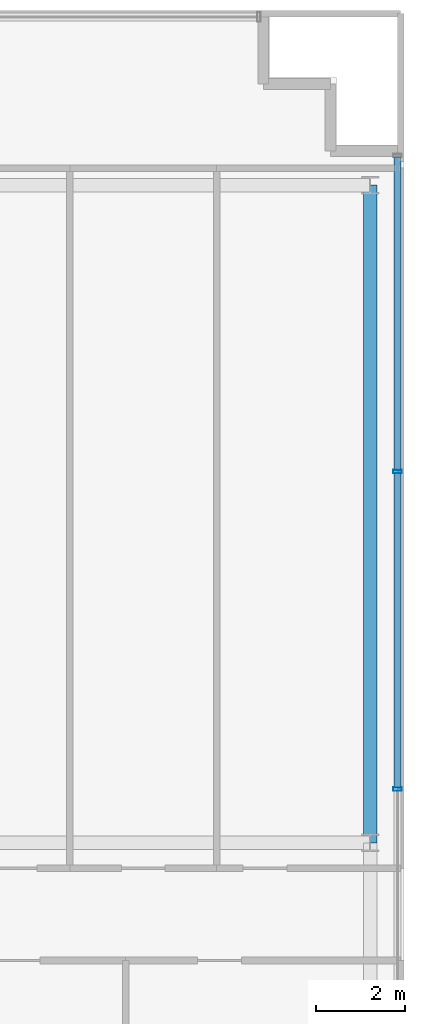
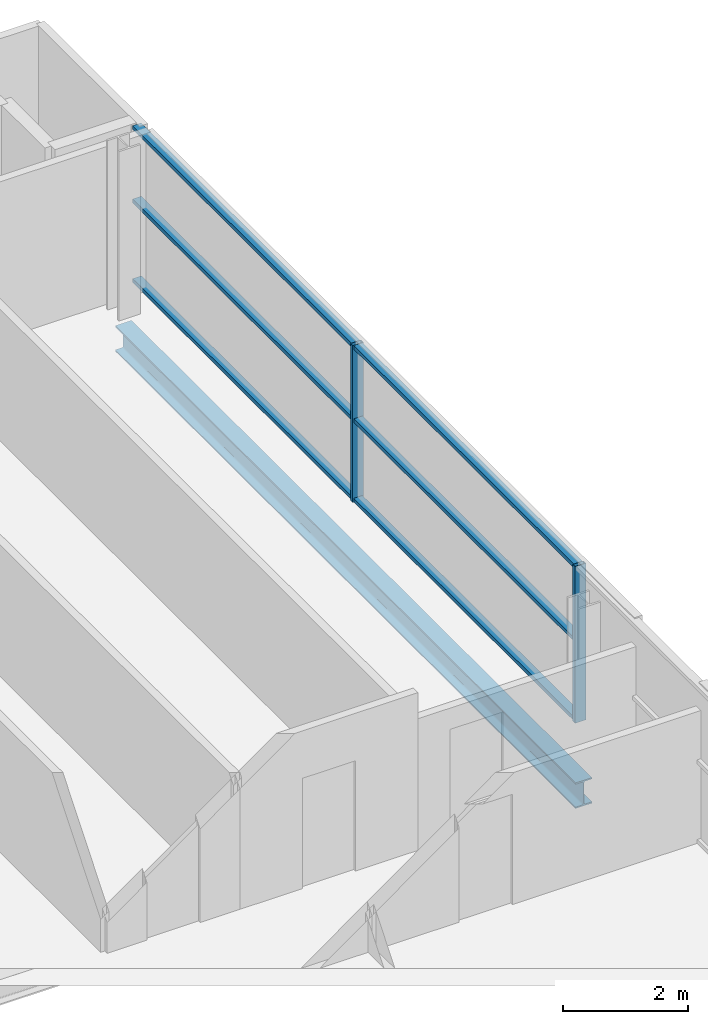
# One storey, part 9 of 21: 8 members, 1 beam, 1 element without a shape of its own.
"""IFC4 building model written with IfcOpenShell, lengths in metres."""

import ifcopenshell
import ifcopenshell.guid

model = None  # the IFC model being written
_history = None  # IfcOwnerHistory: only IFC2X3 demands one
_inside = {}  # id of a spatial element -> (the spatial element, [elements in it])
_under = {}  # id of a project, library or spatial element -> (it, [spatial elements below it])
_declared = {}  # id of a project -> (the project, [libraries it declares])
_typed = {}  # id of a type object -> (the type object, [elements of that type])
_made_of = {}  # id of a material, layer set ... -> (it, [elements and type objects made of it])


def new_model(schema):
    """Start an empty IFC model of exactly this schema.

    Asked for "IFC4X3", IfcOpenShell would pick the latest addendum, in which some entities
    have other attributes; the version numbers below select the first issue.
    IFC2X3 requires an IfcOwnerHistory on every rooted entity: one is made here for all.
    """
    global model, _history
    if schema == "IFC4X3":
        model = ifcopenshell.file(schema_version=(4, 3, 0, 0))
    else:
        model = ifcopenshell.file(schema=schema)
    _inside.clear()
    _under.clear()
    _declared.clear()
    _typed.clear()
    _made_of.clear()
    _history = None
    if model.schema == "IFC2X3":
        org = make("IfcOrganization", Name="unknown")
        user = make(
            "IfcPersonAndOrganization",
            ThePerson=make("IfcPerson", FamilyName="unknown"),
            TheOrganization=org,
        )
        app = make(
            "IfcApplication",
            ApplicationDeveloper=org,
            Version="unknown",
            ApplicationFullName="unknown",
            ApplicationIdentifier="unknown",
        )
        _history = make(
            "IfcOwnerHistory",
            OwningUser=user,
            OwningApplication=app,
            ChangeAction="ADDED",
            CreationDate=0,
        )
    return model


def make(cls, **values):
    """One entity of the class cls with the attributes given. An attribute that is None is left unset."""
    return model.create_entity(
        cls, **{name: value for name, value in values.items() if value is not None}
    )


def rooted(cls, **values):
    """An entity with a GlobalId (a new one), such as an element, a storey or a relation."""
    return make(cls, GlobalId=ifcopenshell.guid.new(), OwnerHistory=_history, **values)


def si_unit(unit_type, name, prefix=None):
    """IfcSIUnit, for example si_unit("LENGTHUNIT", "METRE", prefix="MILLI")."""
    return make("IfcSIUnit", UnitType=unit_type, Prefix=prefix, Name=name)


def assignment(units):
    """IfcUnitAssignment: the units of a project."""
    return None if units is None else make("IfcUnitAssignment", Units=units)


def point(xyz):
    """IfcCartesianPoint."""
    return None if xyz is None else make("IfcCartesianPoint", Coordinates=xyz)


def direction(xyz):
    """IfcDirection."""
    return None if xyz is None else make("IfcDirection", DirectionRatios=xyz)


def frame(location, z_axis=None, x_axis=None):
    """IfcAxis2Placement3D, a coordinate frame: its origin and axes. An axis left out is left unset."""
    return make(
        "IfcAxis2Placement3D",
        Location=point(location),
        Axis=direction(z_axis),
        RefDirection=direction(x_axis),
    )


def frame_2d(location, x_axis=None):
    """IfcAxis2Placement2D, a coordinate frame in the plane: its origin and x axis."""
    return make(
        "IfcAxis2Placement2D", Location=point(location), RefDirection=direction(x_axis)
    )


def origin():
    """The frame at (0, 0, 0) with its axes left unset."""
    return frame((0.0, 0.0, 0.0))


def origin_2d():
    """The frame at (0, 0) in the plane with its x axis left unset."""
    return frame_2d((0.0, 0.0))


def place(relative_to, where):
    """IfcLocalPlacement: puts the frame where relative to a parent placement (None: the world)."""
    return make(
        "IfcLocalPlacement", PlacementRelTo=relative_to, RelativePlacement=where
    )


def context(
    kind, dimensions, precision=None, world=None, true_north=None, identifier=None
):
    """IfcGeometricRepresentationContext, for example the 3D "Model" context."""
    return make(
        "IfcGeometricRepresentationContext",
        ContextIdentifier=identifier,
        ContextType=kind,
        CoordinateSpaceDimension=dimensions,
        Precision=precision,
        WorldCoordinateSystem=world,
        TrueNorth=true_north,
    )


def subcontext(parent, identifier, kind, view, scale=None):
    """IfcGeometricRepresentationSubContext, for example "Body" below "Model"."""
    return make(
        "IfcGeometricRepresentationSubContext",
        ContextIdentifier=identifier,
        ContextType=kind,
        ParentContext=parent,
        TargetScale=scale,
        TargetView=view,
    )


def project(units=None, contexts=None):
    """IfcProject with its units and contexts."""
    return rooted(
        "IfcProject",
        Name="project",
        RepresentationContexts=contexts,
        UnitsInContext=assignment(units),
    )


def spatial(cls, under=None, at=None, **own):
    """A site, building, storey or space (cls), placed at a placement, below another one or the project."""
    s = rooted(cls, ObjectPlacement=at, **own)
    if under is not None:
        _under.setdefault(under.id(), (under, []))[1].append(s)
    return s


def profile(cls, at=None, kind="AREA", **sizes):
    """A parametric profile (cls). Its sizes go by their IFC names, for example OverallWidth=200.0."""
    return make(cls, ProfileType=kind, Position=at, **sizes)


def hollow_rectangle(**sizes):
    """IfcRectangleHollowProfileDef."""
    return profile("IfcRectangleHollowProfileDef", **sizes)


def i_section(**sizes):
    """IfcIShapeProfileDef."""
    return profile("IfcIShapeProfileDef", **sizes)


def extrude(swept, where, along, depth):
    """IfcExtrudedAreaSolid: the profile swept, set in the frame where, extruded along a direction by depth."""
    return make(
        "IfcExtrudedAreaSolid",
        SweptArea=swept,
        Position=where,
        ExtrudedDirection=direction(along),
        Depth=depth,
    )


def shape(context_of_items, identifier, shape_type, items):
    """IfcShapeRepresentation: the items that make up one representation, for example the "Body"."""
    return make(
        "IfcShapeRepresentation",
        ContextOfItems=context_of_items,
        RepresentationIdentifier=identifier,
        RepresentationType=shape_type,
        Items=items,
    )


def source(mapping_origin, context_of_items, identifier, shape_type, items):
    """IfcRepresentationMap: a shape defined once, which mapped items show again and again."""
    return make(
        "IfcRepresentationMap",
        MappingOrigin=mapping_origin,
        MappedRepresentation=shape(context_of_items, identifier, shape_type, items),
    )


def transform(
    local_origin,
    x_axis=None,
    y_axis=None,
    z_axis=None,
    scale=None,
    scale2=None,
    scale3=None,
    uniform=True,
):
    """IfcCartesianTransformationOperator3D, or its non-uniform kind. x_axis, y_axis, z_axis: its Axis1, 2, 3."""
    if uniform:
        return make(
            "IfcCartesianTransformationOperator3D",
            Axis1=direction(x_axis),
            Axis2=direction(y_axis),
            LocalOrigin=point(local_origin),
            Scale=scale,
            Axis3=direction(z_axis),
        )
    return make(
        "IfcCartesianTransformationOperator3DnonUniform",
        Axis1=direction(x_axis),
        Axis2=direction(y_axis),
        LocalOrigin=point(local_origin),
        Scale=scale,
        Axis3=direction(z_axis),
        Scale2=scale2,
        Scale3=scale3,
    )


def mapped(mapping_source, mapping_target):
    """IfcMappedItem: shows the shape of a source again, moved by a transform."""
    return make(
        "IfcMappedItem", MappingSource=mapping_source, MappingTarget=mapping_target
    )


def material(Name=None, Category=None):
    """IfcMaterial."""
    return make("IfcMaterial", Name=Name, Category=Category)


def layer(
    of_material, thickness, ventilated=None, Name=None, Category=None, Priority=None
):
    """IfcMaterialLayer: one layer of a wall or slab, of a material (None: an air gap)."""
    return make(
        "IfcMaterialLayer",
        Material=of_material,
        LayerThickness=thickness,
        IsVentilated=ventilated,
        Name=Name,
        Category=Category,
        Priority=Priority,
    )


def layer_set(layers, Name=None):
    """IfcMaterialLayerSet."""
    return make("IfcMaterialLayerSet", MaterialLayers=layers, LayerSetName=Name)


def material_profile(
    of_material, cross_section, Name=None, Category=None, Priority=None
):
    """IfcMaterialProfile: a cross section and its material."""
    return make(
        "IfcMaterialProfile",
        Name=Name,
        Material=of_material,
        Profile=cross_section,
        Priority=Priority,
        Category=Category,
    )


def profile_set(profiles, Name=None, composite=None):
    """IfcMaterialProfileSet."""
    return make(
        "IfcMaterialProfileSet",
        Name=Name,
        MaterialProfiles=profiles,
        CompositeProfile=composite,
    )


def made_of(thing, what):
    """Note that an element or type object is made of a material, layer set ...; save() writes the relation."""
    if what is not None:
        _made_of.setdefault(what.id(), (what, []))[1].append(thing)
    return thing


def type_object(cls, material=None, **own):
    """A type object (cls), such as IfcWallType, which elements share."""
    return made_of(rooted(cls, **own), material)


def element(
    cls,
    number,
    at=None,
    inside=None,
    cuts=None,
    type_object=None,
    material=None,
    context=None,
    identifier="Body",
    shape_type=None,
    held_by="IfcProductDefinitionShape",
    body=None,
    shapes=None,
    **own,
):
    """One element of the class cls, such as IfcWall. Its Tag is "e" and its number.

    at: its placement. inside: the storey or other place that contains it. cuts: it is an
    opening in that element (IfcRelVoidsElement). A single representation is given by context,
    identifier, shape_type and body (its items); several are given by shapes. held_by: the class
    of the entity that holds the representations. save() writes the other relations.
    """
    e = rooted(cls, Tag="e%d" % number, ObjectPlacement=at, **own)
    if body is not None:
        shapes = [shape(context, identifier, shape_type, body)]
    if shapes is not None:
        e.Representation = make(held_by, Representations=shapes)
    if inside is not None:
        _inside.setdefault(inside.id(), (inside, []))[1].append(e)
    if cuts is not None:
        rooted(
            "IfcRelVoidsElement", RelatingBuildingElement=cuts, RelatedOpeningElement=e
        )
    if type_object is not None:
        _typed.setdefault(type_object.id(), (type_object, []))[1].append(e)
    return made_of(e, material)


def aggregate(whole, parts):
    """IfcRelAggregates: a whole, such as a stair, and the parts it consists of."""
    return rooted("IfcRelAggregates", RelatingObject=whole, RelatedObjects=parts)


def save(model, path):
    """Write the relations noted so far, then the file.

    IfcRelAggregates (storeys below a building ...), IfcRelContainedInSpatialStructure (elements
    in a storey), IfcRelDefinesByType, IfcRelAssociatesMaterial and IfcRelDeclares: one each for
    every whole, place, type object, material and project.
    """
    for whole, parts in _under.values():
        aggregate(whole, parts)
    for where, things in _inside.values():
        rooted(
            "IfcRelContainedInSpatialStructure",
            RelatedElements=things,
            RelatingStructure=where,
        )
    for kind, things in _typed.values():
        rooted("IfcRelDefinesByType", RelatedObjects=things, RelatingType=kind)
    for what, things in _made_of.values():
        rooted("IfcRelAssociatesMaterial", RelatedObjects=things, RelatingMaterial=what)
    for by, libraries in _declared.values():
        rooted("IfcRelDeclares", RelatingContext=by, RelatedDefinitions=libraries)
    model.write(path)


model = new_model("IFC4")

# Units and contexts
model_context = context("Model", 3, precision=1e-05, world=origin(), true_north=direction((0.0, 1.0)))
body_context = subcontext(model_context, "Body", "Model", "MODEL_VIEW")
ifc_project = project(units=[si_unit("LENGTHUNIT", "METRE"), si_unit("AREAUNIT", "SQUARE_METRE"), si_unit("VOLUMEUNIT", "CUBIC_METRE"), si_unit("PLANEANGLEUNIT", "RADIAN"), si_unit("MASSUNIT", "GRAM", prefix="KILO")], contexts=[model_context])

# Site, building, storey
site_placement = place(None, origin())
site = spatial("IfcSite", under=ifc_project, at=site_placement, CompositionType="ELEMENT")
building_placement = place(site_placement, origin())
building = spatial("IfcBuilding", under=site, at=building_placement, Name="Zarnakvel Exchange Tower", CompositionType="ELEMENT")
storey_placement = place(building_placement, frame((0.0, 0.0, 185.800048828125)))
storey = spatial("IfcBuildingStorey", under=building, at=storey_placement, Name="L52", CompositionType="ELEMENT", Elevation=185.800048828125)

# Beam
ifc_material_1 = material(Name="Steel S355", Category="steel")
ifc_material_profile_1 = material_profile(ifc_material_1, i_section(OverallWidth=0.300048828125, OverallDepth=0.5, WebThickness=0.014404296875, FlangeThickness=0.028076171875, FilletRadius=0.027099609375, at=origin_2d()))
ifc_profile_set_1 = profile_set([ifc_material_profile_1], Name="Steel S355")
beam_type = type_object("IfcBeamType", Name="SP-02", PredefinedType="SPANDREL", material=ifc_profile_set_1)
beam_placement = place(storey_placement, frame((25.85009765625, -1.199951171875, -0.47509765625), z_axis=(0.0, 1.0, 0.0), x_axis=(-1.0, 0.0, 0.0)))
element("IfcBeam", 1, at=beam_placement, inside=storey, type_object=beam_type, Name="L52 Tower N-S Frame Beam", PredefinedType="SPANDREL", context=body_context, shape_type="SweptSolid", body=[
    extrude(i_section(OverallWidth=0.300048828125, OverallDepth=0.5, WebThickness=0.014404296875, FlangeThickness=0.028076171875, FilletRadius=0.027099609375, at=origin_2d()), origin(), (0.0, 0.0, 1.0), 14.699951171875),
])

# Curtain wall, members
ifc_material_2 = material(Name="Architectural Bronze Anodised Aluminium", Category="aluminium")
ifc_layer = layer(ifc_material_2, 0.199951171875)
ifc_layer_set = layer_set([ifc_layer], Name="Architectural Bronze Anodised Aluminium")
curtain_wall_type = type_object("IfcCurtainWallType", Name="CW-04", PredefinedType="NOTDEFINED", material=ifc_layer_set)
curtain_wall_placement = place(storey_placement, origin())
curtain_wall = element("IfcCurtainWall", 2, at=curtain_wall_placement, inside=storey, type_object=curtain_wall_type, Name="L52 Curtain Wall CW-L52-E1 (CW-04)", PredefinedType="NOTDEFINED")
ifc_material_profile_2 = material_profile(ifc_material_2, hollow_rectangle(XDim=0.199951171875, YDim=0.074951171875, WallThickness=0.0048828125, at=origin_2d()))
ifc_profile_set_2 = profile_set([ifc_material_profile_2], Name="Architectural Bronze Anodised Aluminium")
member_type_1 = type_object("IfcMemberType", Name="CWM-04", PredefinedType="MULLION", material=ifc_profile_set_2)
shared_shape_1 = source(origin(), body_context, "Body", "SweptSolid", [
    extrude(hollow_rectangle(XDim=0.199951171875, YDim=0.074951171875, WallThickness=0.0048828125, at=origin_2d()), origin(), (0.0, 0.0, 1.0), 3.054931640625),
])
member_1_placement = place(storey_placement, frame((26.4599609375, 0.0, 0.0), z_axis=(0.0, 0.0, 1.0), x_axis=(-1.0, 0.0, 0.0)))
member_1 = element("IfcMember", 3, at=member_1_placement, type_object=member_type_1, Name="CW-04 mullion 3", PredefinedType="MULLION", context=body_context, shape_type="MappedRepresentation", body=[
    mapped(shared_shape_1, transform((0.0, 0.0, 0.0), x_axis=(1.0, 0.0, 0.0), y_axis=(0.0, 1.0, 0.0), z_axis=(0.0, 0.0, 1.0), scale=1.0)),
])
member_2_placement = place(storey_placement, frame((26.4599609375, 7.10009765625, 0.0), z_axis=(0.0, 0.0, 1.0), x_axis=(-1.0, 0.0, 0.0)))
member_2 = element("IfcMember", 4, at=member_2_placement, type_object=member_type_1, Name="CW-04 mullion 4", PredefinedType="MULLION", context=body_context, shape_type="MappedRepresentation", body=[
    mapped(shared_shape_1, transform((0.0, 0.0, 0.0), x_axis=(1.0, 0.0, 0.0), y_axis=(0.0, 1.0, 0.0), z_axis=(0.0, 0.0, 1.0), scale=1.0)),
])
ifc_material_profile_3 = material_profile(ifc_material_2, hollow_rectangle(XDim=0.159912109375, YDim=0.074951171875, WallThickness=0.00390625, at=origin_2d()))
ifc_profile_set_3 = profile_set([ifc_material_profile_3], Name="Architectural Bronze Anodised Aluminium")
member_type_2 = type_object("IfcMemberType", Name="CWT-04", PredefinedType="USERDEFINED", material=ifc_profile_set_3)
shared_shape_2 = source(origin(), body_context, "Body", "SweptSolid", [
    extrude(hollow_rectangle(XDim=0.159912109375, YDim=0.074951171875, WallThickness=0.00390625, at=origin_2d()), origin(), (0.0, 0.0, 1.0), 6.987548828125),
])
member_3_placement = place(storey_placement, frame((26.4599609375, 7.137451171875, 0.037353515625), z_axis=(0.0, 1.0, 0.0), x_axis=(-1.0, 0.0, 0.0)))
member_3 = element("IfcMember", 5, at=member_3_placement, type_object=member_type_2, Name="CW-04 transom 4.1", ObjectType="TRANSOM", PredefinedType="USERDEFINED", context=body_context, shape_type="MappedRepresentation", body=[
    mapped(shared_shape_2, transform((0.0, 0.0, 0.0), x_axis=(1.0, 0.0, 0.0), y_axis=(0.0, 1.0, 0.0), z_axis=(0.0, 0.0, 1.0), scale=1.0)),
])
member_4_placement = place(storey_placement, frame((26.4599609375, 7.137451171875, 1.588623046875), z_axis=(0.0, 1.0, 0.0), x_axis=(-1.0, 0.0, 0.0)))
member_4 = element("IfcMember", 6, at=member_4_placement, type_object=member_type_2, Name="CW-04 transom 4.2", ObjectType="TRANSOM", PredefinedType="USERDEFINED", context=body_context, shape_type="MappedRepresentation", body=[
    mapped(shared_shape_2, transform((0.0, 0.0, 0.0), x_axis=(1.0, 0.0, 0.0), y_axis=(0.0, 1.0, 0.0), z_axis=(0.0, 0.0, 1.0), scale=1.0)),
])
member_5_placement = place(storey_placement, frame((26.4599609375, 7.137451171875, 3.017333984375), z_axis=(0.0, 1.0, 0.0), x_axis=(-1.0, 0.0, 0.0)))
member_5 = element("IfcMember", 7, at=member_5_placement, type_object=member_type_2, Name="CW-04 transom 4.3", ObjectType="TRANSOM", PredefinedType="USERDEFINED", context=body_context, shape_type="MappedRepresentation", body=[
    mapped(shared_shape_2, transform((0.0, 0.0, 0.0), x_axis=(1.0, 0.0, 0.0), y_axis=(0.0, 1.0, 0.0), z_axis=(0.0, 0.0, 1.0), scale=1.0)),
])
shared_shape_3 = source(origin(), body_context, "Body", "SweptSolid", [
    extrude(hollow_rectangle(XDim=0.159912109375, YDim=0.074951171875, WallThickness=0.00390625, at=origin_2d()), origin(), (0.0, 0.0, 1.0), 7.02490234375),
])
member_6_placement = place(storey_placement, frame((26.4599609375, 0.03759765625, 0.037353515625), z_axis=(0.0, 1.0, 0.0), x_axis=(-1.0, 0.0, 0.0)))
member_6 = element("IfcMember", 8, at=member_6_placement, type_object=member_type_2, Name="CW-04 transom 3.1", ObjectType="TRANSOM", PredefinedType="USERDEFINED", context=body_context, shape_type="MappedRepresentation", body=[
    mapped(shared_shape_3, transform((0.0, 0.0, 0.0), x_axis=(1.0, 0.0, 0.0), y_axis=(0.0, 1.0, 0.0), z_axis=(0.0, 0.0, 1.0), scale=1.0)),
])
member_7_placement = place(storey_placement, frame((26.4599609375, 0.03759765625, 1.588623046875), z_axis=(0.0, 1.0, 0.0), x_axis=(-1.0, 0.0, 0.0)))
member_7 = element("IfcMember", 9, at=member_7_placement, type_object=member_type_2, Name="CW-04 transom 3.2", ObjectType="TRANSOM", PredefinedType="USERDEFINED", context=body_context, shape_type="MappedRepresentation", body=[
    mapped(shared_shape_3, transform((0.0, 0.0, 0.0), x_axis=(1.0, 0.0, 0.0), y_axis=(0.0, 1.0, 0.0), z_axis=(0.0, 0.0, 1.0), scale=1.0)),
])
member_8_placement = place(storey_placement, frame((26.4599609375, 0.03759765625, 3.017333984375), z_axis=(0.0, 1.0, 0.0), x_axis=(-1.0, 0.0, 0.0)))
member_8 = element("IfcMember", 10, at=member_8_placement, type_object=member_type_2, Name="CW-04 transom 3.3", ObjectType="TRANSOM", PredefinedType="USERDEFINED", context=body_context, shape_type="MappedRepresentation", body=[
    mapped(shared_shape_3, transform((0.0, 0.0, 0.0), x_axis=(1.0, 0.0, 0.0), y_axis=(0.0, 1.0, 0.0), z_axis=(0.0, 0.0, 1.0), scale=1.0)),
])
aggregate(curtain_wall, [member_1, member_2, member_6, member_7, member_8, member_3, member_4, member_5])

save(model, "model.ifc")
